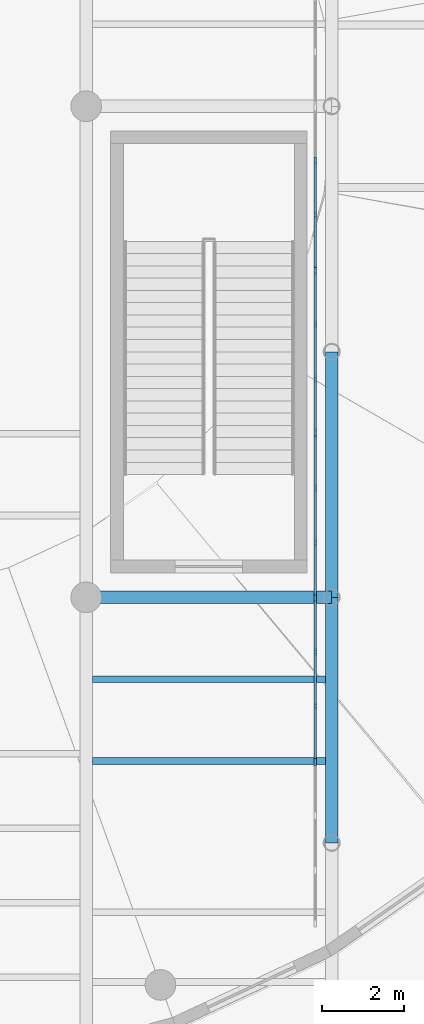
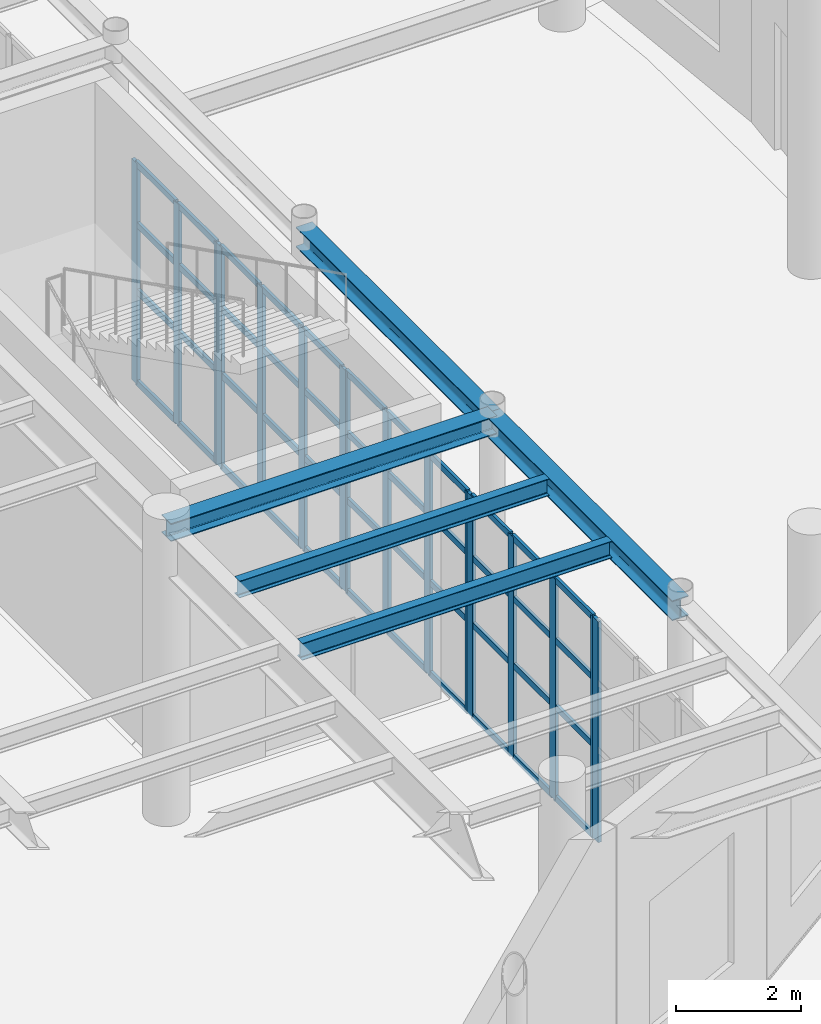
# One storey, part 37 of 118: 60 members, 5 beams, 5 elements without a shape of their own.
"""IFC4 building model written with IfcOpenShell, lengths in metres."""

import ifcopenshell
import ifcopenshell.guid

model = None  # the IFC model being written
_history = None  # IfcOwnerHistory: only IFC2X3 demands one
_inside = {}  # id of a spatial element -> (the spatial element, [elements in it])
_under = {}  # id of a project, library or spatial element -> (it, [spatial elements below it])
_declared = {}  # id of a project -> (the project, [libraries it declares])
_typed = {}  # id of a type object -> (the type object, [elements of that type])
_made_of = {}  # id of a material, layer set ... -> (it, [elements and type objects made of it])


def new_model(schema):
    """Start an empty IFC model of exactly this schema.

    Asked for "IFC4X3", IfcOpenShell would pick the latest addendum, in which some entities
    have other attributes; the version numbers below select the first issue.
    IFC2X3 requires an IfcOwnerHistory on every rooted entity: one is made here for all.
    """
    global model, _history
    if schema == "IFC4X3":
        model = ifcopenshell.file(schema_version=(4, 3, 0, 0))
    else:
        model = ifcopenshell.file(schema=schema)
    _inside.clear()
    _under.clear()
    _declared.clear()
    _typed.clear()
    _made_of.clear()
    _history = None
    if model.schema == "IFC2X3":
        org = make("IfcOrganization", Name="unknown")
        user = make(
            "IfcPersonAndOrganization",
            ThePerson=make("IfcPerson", FamilyName="unknown"),
            TheOrganization=org,
        )
        app = make(
            "IfcApplication",
            ApplicationDeveloper=org,
            Version="unknown",
            ApplicationFullName="unknown",
            ApplicationIdentifier="unknown",
        )
        _history = make(
            "IfcOwnerHistory",
            OwningUser=user,
            OwningApplication=app,
            ChangeAction="ADDED",
            CreationDate=0,
        )
    return model


def make(cls, **values):
    """One entity of the class cls with the attributes given. An attribute that is None is left unset."""
    return model.create_entity(
        cls, **{name: value for name, value in values.items() if value is not None}
    )


def rooted(cls, **values):
    """An entity with a GlobalId (a new one), such as an element, a storey or a relation."""
    return make(cls, GlobalId=ifcopenshell.guid.new(), OwnerHistory=_history, **values)


def si_unit(unit_type, name, prefix=None):
    """IfcSIUnit, for example si_unit("LENGTHUNIT", "METRE", prefix="MILLI")."""
    return make("IfcSIUnit", UnitType=unit_type, Prefix=prefix, Name=name)


def assignment(units):
    """IfcUnitAssignment: the units of a project."""
    return None if units is None else make("IfcUnitAssignment", Units=units)


def point(xyz):
    """IfcCartesianPoint."""
    return None if xyz is None else make("IfcCartesianPoint", Coordinates=xyz)


def direction(xyz):
    """IfcDirection."""
    return None if xyz is None else make("IfcDirection", DirectionRatios=xyz)


def frame(location, z_axis=None, x_axis=None):
    """IfcAxis2Placement3D, a coordinate frame: its origin and axes. An axis left out is left unset."""
    return make(
        "IfcAxis2Placement3D",
        Location=point(location),
        Axis=direction(z_axis),
        RefDirection=direction(x_axis),
    )


def frame_2d(location, x_axis=None):
    """IfcAxis2Placement2D, a coordinate frame in the plane: its origin and x axis."""
    return make(
        "IfcAxis2Placement2D", Location=point(location), RefDirection=direction(x_axis)
    )


def origin():
    """The frame at (0, 0, 0) with its axes left unset."""
    return frame((0.0, 0.0, 0.0))


def origin_2d():
    """The frame at (0, 0) in the plane with its x axis left unset."""
    return frame_2d((0.0, 0.0))


def place(relative_to, where):
    """IfcLocalPlacement: puts the frame where relative to a parent placement (None: the world)."""
    return make(
        "IfcLocalPlacement", PlacementRelTo=relative_to, RelativePlacement=where
    )


def context(
    kind, dimensions, precision=None, world=None, true_north=None, identifier=None
):
    """IfcGeometricRepresentationContext, for example the 3D "Model" context."""
    return make(
        "IfcGeometricRepresentationContext",
        ContextIdentifier=identifier,
        ContextType=kind,
        CoordinateSpaceDimension=dimensions,
        Precision=precision,
        WorldCoordinateSystem=world,
        TrueNorth=true_north,
    )


def subcontext(parent, identifier, kind, view, scale=None):
    """IfcGeometricRepresentationSubContext, for example "Body" below "Model"."""
    return make(
        "IfcGeometricRepresentationSubContext",
        ContextIdentifier=identifier,
        ContextType=kind,
        ParentContext=parent,
        TargetScale=scale,
        TargetView=view,
    )


def project(units=None, contexts=None):
    """IfcProject with its units and contexts."""
    return rooted(
        "IfcProject",
        Name="project",
        RepresentationContexts=contexts,
        UnitsInContext=assignment(units),
    )


def spatial(cls, under=None, at=None, **own):
    """A site, building, storey or space (cls), placed at a placement, below another one or the project."""
    s = rooted(cls, ObjectPlacement=at, **own)
    if under is not None:
        _under.setdefault(under.id(), (under, []))[1].append(s)
    return s


def profile(cls, at=None, kind="AREA", **sizes):
    """A parametric profile (cls). Its sizes go by their IFC names, for example OverallWidth=200.0."""
    return make(cls, ProfileType=kind, Position=at, **sizes)


def rectangle(**sizes):
    """IfcRectangleProfileDef."""
    return profile("IfcRectangleProfileDef", **sizes)


def i_section(**sizes):
    """IfcIShapeProfileDef."""
    return profile("IfcIShapeProfileDef", **sizes)


def extrude(swept, where, along, depth):
    """IfcExtrudedAreaSolid: the profile swept, set in the frame where, extruded along a direction by depth."""
    return make(
        "IfcExtrudedAreaSolid",
        SweptArea=swept,
        Position=where,
        ExtrudedDirection=direction(along),
        Depth=depth,
    )


def shape(context_of_items, identifier, shape_type, items):
    """IfcShapeRepresentation: the items that make up one representation, for example the "Body"."""
    return make(
        "IfcShapeRepresentation",
        ContextOfItems=context_of_items,
        RepresentationIdentifier=identifier,
        RepresentationType=shape_type,
        Items=items,
    )


def material(Name=None, Category=None):
    """IfcMaterial."""
    return make("IfcMaterial", Name=Name, Category=Category)


def material_profile(
    of_material, cross_section, Name=None, Category=None, Priority=None
):
    """IfcMaterialProfile: a cross section and its material."""
    return make(
        "IfcMaterialProfile",
        Name=Name,
        Material=of_material,
        Profile=cross_section,
        Priority=Priority,
        Category=Category,
    )


def profile_set(profiles, Name=None, composite=None):
    """IfcMaterialProfileSet."""
    return make(
        "IfcMaterialProfileSet",
        Name=Name,
        MaterialProfiles=profiles,
        CompositeProfile=composite,
    )


def made_of(thing, what):
    """Note that an element or type object is made of a material, layer set ...; save() writes the relation."""
    if what is not None:
        _made_of.setdefault(what.id(), (what, []))[1].append(thing)
    return thing


def type_object(cls, material=None, **own):
    """A type object (cls), such as IfcWallType, which elements share."""
    return made_of(rooted(cls, **own), material)


def element(
    cls,
    number,
    at=None,
    inside=None,
    cuts=None,
    type_object=None,
    material=None,
    context=None,
    identifier="Body",
    shape_type=None,
    held_by="IfcProductDefinitionShape",
    body=None,
    shapes=None,
    **own,
):
    """One element of the class cls, such as IfcWall. Its Tag is "e" and its number.

    at: its placement. inside: the storey or other place that contains it. cuts: it is an
    opening in that element (IfcRelVoidsElement). A single representation is given by context,
    identifier, shape_type and body (its items); several are given by shapes. held_by: the class
    of the entity that holds the representations. save() writes the other relations.
    """
    e = rooted(cls, Tag="e%d" % number, ObjectPlacement=at, **own)
    if body is not None:
        shapes = [shape(context, identifier, shape_type, body)]
    if shapes is not None:
        e.Representation = make(held_by, Representations=shapes)
    if inside is not None:
        _inside.setdefault(inside.id(), (inside, []))[1].append(e)
    if cuts is not None:
        rooted(
            "IfcRelVoidsElement", RelatingBuildingElement=cuts, RelatedOpeningElement=e
        )
    if type_object is not None:
        _typed.setdefault(type_object.id(), (type_object, []))[1].append(e)
    return made_of(e, material)


def aggregate(whole, parts):
    """IfcRelAggregates: a whole, such as a stair, and the parts it consists of."""
    return rooted("IfcRelAggregates", RelatingObject=whole, RelatedObjects=parts)


def save(model, path):
    """Write the relations noted so far, then the file.

    IfcRelAggregates (storeys below a building ...), IfcRelContainedInSpatialStructure (elements
    in a storey), IfcRelDefinesByType, IfcRelAssociatesMaterial and IfcRelDeclares: one each for
    every whole, place, type object, material and project.
    """
    for whole, parts in _under.values():
        aggregate(whole, parts)
    for where, things in _inside.values():
        rooted(
            "IfcRelContainedInSpatialStructure",
            RelatedElements=things,
            RelatingStructure=where,
        )
    for kind, things in _typed.values():
        rooted("IfcRelDefinesByType", RelatedObjects=things, RelatingType=kind)
    for what, things in _made_of.values():
        rooted("IfcRelAssociatesMaterial", RelatedObjects=things, RelatingMaterial=what)
    for by, libraries in _declared.values():
        rooted("IfcRelDeclares", RelatingContext=by, RelatedDefinitions=libraries)
    model.write(path)


model = new_model("IFC4")

# Units and contexts
model_context = context("Model", 3, precision=1e-05, world=origin(), true_north=direction((0.0, 1.0)))
body_context = subcontext(model_context, "Body", "Model", "MODEL_VIEW")
ifc_project = project(units=[si_unit("LENGTHUNIT", "METRE"), si_unit("AREAUNIT", "SQUARE_METRE"), si_unit("VOLUMEUNIT", "CUBIC_METRE"), si_unit("PLANEANGLEUNIT", "RADIAN"), si_unit("MASSUNIT", "GRAM", prefix="KILO")], contexts=[model_context])

# Site, building, storey
site_placement = place(None, origin())
site = spatial("IfcSite", under=ifc_project, at=site_placement, CompositionType="ELEMENT")
building_placement = place(site_placement, origin())
building = spatial("IfcBuilding", under=site, at=building_placement, Name="Kolvaren Corner Interchange", CompositionType="ELEMENT")
storey_placement = place(building_placement, origin())
storey = spatial("IfcBuildingStorey", under=building, at=storey_placement, Name="L01", CompositionType="ELEMENT", Elevation=0.0)

# Beams
ifc_material_1 = material(Name="Steel S355", Category="steel")
ifc_material_profile_1 = material_profile(ifc_material_1, i_section(OverallWidth=0.300048828125, OverallDepth=0.35009765625, WebThickness=0.010009765625, FlangeThickness=0.017578125, FilletRadius=0.027099609375, at=origin_2d()), Name="HEA 360")
ifc_profile_set_1 = profile_set([ifc_material_profile_1], Name="Steel S355")
beam_type_1 = type_object("IfcBeamType", Name="BM-HEA360", PredefinedType="BEAM", material=ifc_profile_set_1)
beam_placement = place(storey_placement, frame((126.0, 36.0, 5.574951171875), z_axis=(1.0, 0.0, 0.0), x_axis=(0.0, 1.0, 0.0)))
element("IfcBeam", 1, at=beam_placement, inside=storey, type_object=beam_type_1, Name="Storey L01 Grid X Primary Girder 0247", PredefinedType="BEAM", context=body_context, shape_type="SweptSolid", body=[
    extrude(i_section(OverallWidth=0.300048828125, OverallDepth=0.35009765625, WebThickness=0.010009765625, FlangeThickness=0.017578125, FilletRadius=0.027099609375, at=origin_2d()), origin(), (0.0, 0.0, 1.0), 6.0),
])
ifc_material_2 = material(Name="Steel S355", Category="steel")
ifc_material_profile_2 = material_profile(ifc_material_2, i_section(OverallWidth=0.300048828125, OverallDepth=0.389892578125, WebThickness=0.010986328125, FlangeThickness=0.01904296875, FilletRadius=0.027099609375, at=origin_2d()), Name="HEA 400")
ifc_profile_set_2 = profile_set([ifc_material_profile_2], Name="Steel S355")
beam_type_2 = type_object("IfcBeamType", Name="BM-HEA400", PredefinedType="BEAM", material=ifc_profile_set_2)
for number, where, z_axis, x_axis, name in (
    (2, (132.0, 30.0, 5.554931640625), (0.0, 1.0, 0.0), (-1.0, 0.0, 0.0), "Storey L01 Grid Y Primary Girder 0370"),
    (3, (132.0, 36.0, 5.554931640625), (0.0, 1.0, 0.0), (-1.0, 0.0, 0.0), "Storey L01 Grid Y Primary Girder 0371"),
):
    element("IfcBeam", number, at=place(storey_placement, frame(where, z_axis=z_axis, x_axis=x_axis)), inside=storey, type_object=beam_type_2, Name=name, PredefinedType="BEAM", context=body_context, shape_type="SweptSolid", body=[
        extrude(i_section(OverallWidth=0.300048828125, OverallDepth=0.389892578125, WebThickness=0.010986328125, FlangeThickness=0.01904296875, FilletRadius=0.027099609375, at=origin_2d()), origin(), (0.0, 0.0, 1.0), 6.0),
    ])
ifc_material_3 = material(Name="Steel S355", Category="steel")
ifc_material_profile_3 = material_profile(ifc_material_3, i_section(OverallWidth=0.159912109375, OverallDepth=0.330078125, WebThickness=0.007568359375, FlangeThickness=0.011474609375, FilletRadius=0.01806640625, at=origin_2d()), Name="IPE 330")
ifc_profile_set_3 = profile_set([ifc_material_profile_3], Name="Steel S355")
beam_type_3 = type_object("IfcBeamType", Name="JS-IPE330", PredefinedType="JOIST", material=ifc_profile_set_3)
for number, where, z_axis, x_axis, name in (
    (4, (126.14990234375, 32.0, 5.5849609375), (1.0, 0.0, 0.0), (0.0, 1.0, 0.0), "Storey L01 Composite Floor Joist 0376"),
    (5, (126.14990234375, 34.0, 5.5849609375), (1.0, 0.0, 0.0), (0.0, 1.0, 0.0), "Storey L01 Composite Floor Joist 0377"),
):
    element("IfcBeam", number, at=place(storey_placement, frame(where, z_axis=z_axis, x_axis=x_axis)), inside=storey, type_object=beam_type_3, Name=name, PredefinedType="JOIST", context=body_context, shape_type="SweptSolid", body=[
        extrude(i_section(OverallWidth=0.159912109375, OverallDepth=0.330078125, WebThickness=0.007568359375, FlangeThickness=0.011474609375, FilletRadius=0.01806640625, at=origin_2d()), origin(), (0.0, 0.0, 1.0), 5.7001953125),
    ])

# Curtain wall, member
ifc_material_4 = material(Name="Unitised Aluminium and Solar-Control Glass Curtain Wall", Category="aluminium")
curtain_wall_type = type_object("IfcCurtainWallType", Name="CW-V4-BOARD", PredefinedType="NOTDEFINED", material=ifc_material_4)
curtain_wall_1_placement = place(storey_placement, origin())
curtain_wall_1 = element("IfcCurtainWall", 6, at=curtain_wall_1_placement, inside=storey, type_object=curtain_wall_type, Name="Bus Island West Boarding Curtain Wall Bay 01", PredefinedType="NOTDEFINED")
ifc_material_5 = material(Name="Anodised Aluminium Framing", Category="aluminium")
ifc_material_profile_4 = material_profile(ifc_material_5, rectangle(XDim=0.06005859375, YDim=0.179931640625, at=origin_2d()), Name="ALU 60x180")
ifc_profile_set_4 = profile_set([ifc_material_profile_4], Name="Anodised Aluminium Framing")
member_type_1 = type_object("IfcMemberType", Name="MUL-ALU60x180", PredefinedType="MULLION", material=ifc_profile_set_4)
member_1_placement = place(storey_placement, frame((131.60009765625, 31.969970703125, 0.0), z_axis=(0.0, 0.0, 1.0), x_axis=(-1.0, 0.0, 0.0)))
member_1 = element("IfcMember", 7, at=member_1_placement, type_object=member_type_1, Name="CW-126 mullion 4", PredefinedType="MULLION", context=body_context, shape_type="SweptSolid", body=[
    extrude(rectangle(XDim=0.06005859375, YDim=0.179931640625, at=origin_2d()), origin(), (0.0, 0.0, 1.0), 4.300048828125),
])
aggregate(curtain_wall_1, [member_1])

# Curtain wall, members
curtain_wall_2_placement = place(storey_placement, origin())
curtain_wall_2 = element("IfcCurtainWall", 8, at=curtain_wall_2_placement, inside=storey, type_object=curtain_wall_type, Name="Bus Island West Boarding Curtain Wall Bay 02", PredefinedType="NOTDEFINED")
member_2_placement = place(storey_placement, frame((131.60009765625, 32.030029296875, 0.0), z_axis=(0.0, 0.0, 1.0), x_axis=(-1.0, 0.0, 0.0)))
member_2 = element("IfcMember", 9, at=member_2_placement, type_object=member_type_1, Name="CW-127 mullion 1", PredefinedType="MULLION", context=body_context, shape_type="SweptSolid", body=[
    extrude(rectangle(XDim=0.06005859375, YDim=0.179931640625, at=origin_2d()), origin(), (0.0, 0.0, 1.0), 4.300048828125),
])
member_3_placement = place(storey_placement, frame((131.60009765625, 33.333251953125, 0.0), z_axis=(0.0, 0.0, 1.0), x_axis=(-1.0, 0.0, 0.0)))
member_3 = element("IfcMember", 10, at=member_3_placement, type_object=member_type_1, Name="CW-127 mullion 2", PredefinedType="MULLION", context=body_context, shape_type="SweptSolid", body=[
    extrude(rectangle(XDim=0.06005859375, YDim=0.179931640625, at=origin_2d()), origin(), (0.0, 0.0, 1.0), 4.300048828125),
])
member_4_placement = place(storey_placement, frame((131.60009765625, 34.666748046875, 0.0), z_axis=(0.0, 0.0, 1.0), x_axis=(-1.0, 0.0, 0.0)))
member_4 = element("IfcMember", 11, at=member_4_placement, type_object=member_type_1, Name="CW-127 mullion 3", PredefinedType="MULLION", context=body_context, shape_type="SweptSolid", body=[
    extrude(rectangle(XDim=0.06005859375, YDim=0.179931640625, at=origin_2d()), origin(), (0.0, 0.0, 1.0), 4.300048828125),
])
member_5_placement = place(storey_placement, frame((131.60009765625, 35.969970703125, 0.0), z_axis=(0.0, 0.0, 1.0), x_axis=(-1.0, 0.0, 0.0)))
member_5 = element("IfcMember", 12, at=member_5_placement, type_object=member_type_1, Name="CW-127 mullion 4", PredefinedType="MULLION", context=body_context, shape_type="SweptSolid", body=[
    extrude(rectangle(XDim=0.06005859375, YDim=0.179931640625, at=origin_2d()), origin(), (0.0, 0.0, 1.0), 4.300048828125),
])

curtain_wall_3_placement = place(storey_placement, origin())
curtain_wall_3 = element("IfcCurtainWall", 13, at=curtain_wall_3_placement, inside=storey, type_object=curtain_wall_type, Name="Bus Island West Boarding Curtain Wall Bay 03", PredefinedType="NOTDEFINED")
member_6_placement = place(storey_placement, frame((131.60009765625, 36.030029296875, 0.0), z_axis=(0.0, 0.0, 1.0), x_axis=(-1.0, 0.0, 0.0)))
member_6 = element("IfcMember", 14, at=member_6_placement, type_object=member_type_1, Name="CW-128 mullion 1", PredefinedType="MULLION", context=body_context, shape_type="SweptSolid", body=[
    extrude(rectangle(XDim=0.06005859375, YDim=0.179931640625, at=origin_2d()), origin(), (0.0, 0.0, 1.0), 4.300048828125),
])
member_7_placement = place(storey_placement, frame((131.60009765625, 37.333251953125, 0.0), z_axis=(0.0, 0.0, 1.0), x_axis=(-1.0, 0.0, 0.0)))
member_7 = element("IfcMember", 15, at=member_7_placement, type_object=member_type_1, Name="CW-128 mullion 2", PredefinedType="MULLION", context=body_context, shape_type="SweptSolid", body=[
    extrude(rectangle(XDim=0.06005859375, YDim=0.179931640625, at=origin_2d()), origin(), (0.0, 0.0, 1.0), 4.300048828125),
])
member_8_placement = place(storey_placement, frame((131.60009765625, 38.666748046875, 0.0), z_axis=(0.0, 0.0, 1.0), x_axis=(-1.0, 0.0, 0.0)))
member_8 = element("IfcMember", 16, at=member_8_placement, type_object=member_type_1, Name="CW-128 mullion 3", PredefinedType="MULLION", context=body_context, shape_type="SweptSolid", body=[
    extrude(rectangle(XDim=0.06005859375, YDim=0.179931640625, at=origin_2d()), origin(), (0.0, 0.0, 1.0), 4.300048828125),
])
member_9_placement = place(storey_placement, frame((131.60009765625, 39.969970703125, 0.0), z_axis=(0.0, 0.0, 1.0), x_axis=(-1.0, 0.0, 0.0)))
member_9 = element("IfcMember", 17, at=member_9_placement, type_object=member_type_1, Name="CW-128 mullion 4", PredefinedType="MULLION", context=body_context, shape_type="SweptSolid", body=[
    extrude(rectangle(XDim=0.06005859375, YDim=0.179931640625, at=origin_2d()), origin(), (0.0, 0.0, 1.0), 4.300048828125),
])

curtain_wall_4_placement = place(storey_placement, origin())
curtain_wall_4 = element("IfcCurtainWall", 18, at=curtain_wall_4_placement, inside=storey, type_object=curtain_wall_type, Name="Bus Island West Boarding Curtain Wall Bay 04", PredefinedType="NOTDEFINED")
member_10_placement = place(storey_placement, frame((131.60009765625, 40.030029296875, 0.0), z_axis=(0.0, 0.0, 1.0), x_axis=(-1.0, 0.0, 0.0)))
member_10 = element("IfcMember", 19, at=member_10_placement, type_object=member_type_1, Name="CW-129 mullion 1", PredefinedType="MULLION", context=body_context, shape_type="SweptSolid", body=[
    extrude(rectangle(XDim=0.06005859375, YDim=0.179931640625, at=origin_2d()), origin(), (0.0, 0.0, 1.0), 4.300048828125),
])
member_11_placement = place(storey_placement, frame((131.60009765625, 41.333251953125, 0.0), z_axis=(0.0, 0.0, 1.0), x_axis=(-1.0, 0.0, 0.0)))
member_11 = element("IfcMember", 20, at=member_11_placement, type_object=member_type_1, Name="CW-129 mullion 2", PredefinedType="MULLION", context=body_context, shape_type="SweptSolid", body=[
    extrude(rectangle(XDim=0.06005859375, YDim=0.179931640625, at=origin_2d()), origin(), (0.0, 0.0, 1.0), 4.300048828125),
])
member_12_placement = place(storey_placement, frame((131.60009765625, 42.666748046875, 0.0), z_axis=(0.0, 0.0, 1.0), x_axis=(-1.0, 0.0, 0.0)))
member_12 = element("IfcMember", 21, at=member_12_placement, type_object=member_type_1, Name="CW-129 mullion 3", PredefinedType="MULLION", context=body_context, shape_type="SweptSolid", body=[
    extrude(rectangle(XDim=0.06005859375, YDim=0.179931640625, at=origin_2d()), origin(), (0.0, 0.0, 1.0), 4.300048828125),
])
member_13_placement = place(storey_placement, frame((131.60009765625, 43.969970703125, 0.0), z_axis=(0.0, 0.0, 1.0), x_axis=(-1.0, 0.0, 0.0)))
member_13 = element("IfcMember", 22, at=member_13_placement, type_object=member_type_1, Name="CW-129 mullion 4", PredefinedType="MULLION", context=body_context, shape_type="SweptSolid", body=[
    extrude(rectangle(XDim=0.06005859375, YDim=0.179931640625, at=origin_2d()), origin(), (0.0, 0.0, 1.0), 4.300048828125),
])

curtain_wall_5_placement = place(storey_placement, origin())
curtain_wall_5 = element("IfcCurtainWall", 23, at=curtain_wall_5_placement, inside=storey, type_object=curtain_wall_type, Name="Bus Island West Boarding Curtain Wall Bay 05", PredefinedType="NOTDEFINED")
member_14_placement = place(storey_placement, frame((131.60009765625, 44.030029296875, 0.0), z_axis=(0.0, 0.0, 1.0), x_axis=(-1.0, 0.0, 0.0)))
member_14 = element("IfcMember", 24, at=member_14_placement, type_object=member_type_1, Name="CW-130 mullion 1", PredefinedType="MULLION", context=body_context, shape_type="SweptSolid", body=[
    extrude(rectangle(XDim=0.06005859375, YDim=0.179931640625, at=origin_2d()), origin(), (0.0, 0.0, 1.0), 4.300048828125),
])
member_15_placement = place(storey_placement, frame((131.60009765625, 45.333251953125, 0.0), z_axis=(0.0, 0.0, 1.0), x_axis=(-1.0, 0.0, 0.0)))
member_15 = element("IfcMember", 25, at=member_15_placement, type_object=member_type_1, Name="CW-130 mullion 2", PredefinedType="MULLION", context=body_context, shape_type="SweptSolid", body=[
    extrude(rectangle(XDim=0.06005859375, YDim=0.179931640625, at=origin_2d()), origin(), (0.0, 0.0, 1.0), 4.300048828125),
])
member_16_placement = place(storey_placement, frame((131.60009765625, 46.666748046875, 0.0), z_axis=(0.0, 0.0, 1.0), x_axis=(-1.0, 0.0, 0.0)))
member_16 = element("IfcMember", 26, at=member_16_placement, type_object=member_type_1, Name="CW-130 mullion 3", PredefinedType="MULLION", context=body_context, shape_type="SweptSolid", body=[
    extrude(rectangle(XDim=0.06005859375, YDim=0.179931640625, at=origin_2d()), origin(), (0.0, 0.0, 1.0), 4.300048828125),
])

# Member
ifc_material_6 = material(Name="Anodised Aluminium Framing", Category="aluminium")
ifc_material_profile_5 = material_profile(ifc_material_6, rectangle(XDim=0.054931640625, YDim=0.1201171875, at=origin_2d()), Name="ALU 55x120")
ifc_profile_set_5 = profile_set([ifc_material_profile_5], Name="Anodised Aluminium Framing")
member_type_2 = type_object("IfcMemberType", Name="TRN-ALU55x120", PredefinedType="USERDEFINED", material=ifc_profile_set_5)
member_17_placement = place(storey_placement, frame((131.60009765625, 32.06005859375, 0.027587890625), z_axis=(0.0, 1.0, 0.0), x_axis=(-1.0, 0.0, 0.0)))
member_17 = element("IfcMember", 27, at=member_17_placement, type_object=member_type_2, Name="CW-127 transom 1.1", ObjectType="TRANSOM", PredefinedType="USERDEFINED", context=body_context, shape_type="SweptSolid", body=[
    extrude(rectangle(XDim=0.054931640625, YDim=0.1201171875, at=origin_2d()), origin(), (0.0, 0.0, 1.0), 1.2431640625),
])

member_18_placement = place(storey_placement, frame((131.60009765625, 32.06005859375, 1.800048828125), z_axis=(0.0, 1.0, 0.0), x_axis=(-1.0, 0.0, 0.0)))
member_18 = element("IfcMember", 28, at=member_18_placement, type_object=member_type_2, Name="CW-127 transom 1.2", ObjectType="TRANSOM", PredefinedType="USERDEFINED", context=body_context, shape_type="SweptSolid", body=[
    extrude(rectangle(XDim=0.054931640625, YDim=0.1201171875, at=origin_2d()), origin(), (0.0, 0.0, 1.0), 1.2431640625),
])

member_19_placement = place(storey_placement, frame((131.60009765625, 32.06005859375, 3.10009765625), z_axis=(0.0, 1.0, 0.0), x_axis=(-1.0, 0.0, 0.0)))
member_19 = element("IfcMember", 29, at=member_19_placement, type_object=member_type_2, Name="CW-127 transom 1.3", ObjectType="TRANSOM", PredefinedType="USERDEFINED", context=body_context, shape_type="SweptSolid", body=[
    extrude(rectangle(XDim=0.054931640625, YDim=0.1201171875, at=origin_2d()), origin(), (0.0, 0.0, 1.0), 1.2431640625),
])

member_20_placement = place(storey_placement, frame((131.60009765625, 32.06005859375, 4.2724609375), z_axis=(0.0, 1.0, 0.0), x_axis=(-1.0, 0.0, 0.0)))
member_20 = element("IfcMember", 30, at=member_20_placement, type_object=member_type_2, Name="CW-127 transom 1.4", ObjectType="TRANSOM", PredefinedType="USERDEFINED", context=body_context, shape_type="SweptSolid", body=[
    extrude(rectangle(XDim=0.054931640625, YDim=0.1201171875, at=origin_2d()), origin(), (0.0, 0.0, 1.0), 1.2431640625),
])

member_21_placement = place(storey_placement, frame((131.60009765625, 33.36328125, 0.027587890625), z_axis=(0.0, 1.0, 0.0), x_axis=(-1.0, 0.0, 0.0)))
member_21 = element("IfcMember", 31, at=member_21_placement, type_object=member_type_2, Name="CW-127 transom 2.1", ObjectType="TRANSOM", PredefinedType="USERDEFINED", context=body_context, shape_type="SweptSolid", body=[
    extrude(rectangle(XDim=0.054931640625, YDim=0.1201171875, at=origin_2d()), origin(), (0.0, 0.0, 1.0), 1.2734375),
])

member_22_placement = place(storey_placement, frame((131.60009765625, 33.36328125, 1.800048828125), z_axis=(0.0, 1.0, 0.0), x_axis=(-1.0, 0.0, 0.0)))
member_22 = element("IfcMember", 32, at=member_22_placement, type_object=member_type_2, Name="CW-127 transom 2.2", ObjectType="TRANSOM", PredefinedType="USERDEFINED", context=body_context, shape_type="SweptSolid", body=[
    extrude(rectangle(XDim=0.054931640625, YDim=0.1201171875, at=origin_2d()), origin(), (0.0, 0.0, 1.0), 1.2734375),
])

member_23_placement = place(storey_placement, frame((131.60009765625, 33.36328125, 3.10009765625), z_axis=(0.0, 1.0, 0.0), x_axis=(-1.0, 0.0, 0.0)))
member_23 = element("IfcMember", 33, at=member_23_placement, type_object=member_type_2, Name="CW-127 transom 2.3", ObjectType="TRANSOM", PredefinedType="USERDEFINED", context=body_context, shape_type="SweptSolid", body=[
    extrude(rectangle(XDim=0.054931640625, YDim=0.1201171875, at=origin_2d()), origin(), (0.0, 0.0, 1.0), 1.2734375),
])

member_24_placement = place(storey_placement, frame((131.60009765625, 33.36328125, 4.2724609375), z_axis=(0.0, 1.0, 0.0), x_axis=(-1.0, 0.0, 0.0)))
member_24 = element("IfcMember", 34, at=member_24_placement, type_object=member_type_2, Name="CW-127 transom 2.4", ObjectType="TRANSOM", PredefinedType="USERDEFINED", context=body_context, shape_type="SweptSolid", body=[
    extrude(rectangle(XDim=0.054931640625, YDim=0.1201171875, at=origin_2d()), origin(), (0.0, 0.0, 1.0), 1.2734375),
])

member_25_placement = place(storey_placement, frame((131.60009765625, 34.69677734375, 0.027587890625), z_axis=(0.0, 1.0, 0.0), x_axis=(-1.0, 0.0, 0.0)))
member_25 = element("IfcMember", 35, at=member_25_placement, type_object=member_type_2, Name="CW-127 transom 3.1", ObjectType="TRANSOM", PredefinedType="USERDEFINED", context=body_context, shape_type="SweptSolid", body=[
    extrude(rectangle(XDim=0.054931640625, YDim=0.1201171875, at=origin_2d()), origin(), (0.0, 0.0, 1.0), 1.2431640625),
])

member_26_placement = place(storey_placement, frame((131.60009765625, 34.69677734375, 1.800048828125), z_axis=(0.0, 1.0, 0.0), x_axis=(-1.0, 0.0, 0.0)))
member_26 = element("IfcMember", 36, at=member_26_placement, type_object=member_type_2, Name="CW-127 transom 3.2", ObjectType="TRANSOM", PredefinedType="USERDEFINED", context=body_context, shape_type="SweptSolid", body=[
    extrude(rectangle(XDim=0.054931640625, YDim=0.1201171875, at=origin_2d()), origin(), (0.0, 0.0, 1.0), 1.2431640625),
])

member_27_placement = place(storey_placement, frame((131.60009765625, 34.69677734375, 3.10009765625), z_axis=(0.0, 1.0, 0.0), x_axis=(-1.0, 0.0, 0.0)))
member_27 = element("IfcMember", 37, at=member_27_placement, type_object=member_type_2, Name="CW-127 transom 3.3", ObjectType="TRANSOM", PredefinedType="USERDEFINED", context=body_context, shape_type="SweptSolid", body=[
    extrude(rectangle(XDim=0.054931640625, YDim=0.1201171875, at=origin_2d()), origin(), (0.0, 0.0, 1.0), 1.2431640625),
])

member_28_placement = place(storey_placement, frame((131.60009765625, 34.69677734375, 4.2724609375), z_axis=(0.0, 1.0, 0.0), x_axis=(-1.0, 0.0, 0.0)))
member_28 = element("IfcMember", 38, at=member_28_placement, type_object=member_type_2, Name="CW-127 transom 3.4", ObjectType="TRANSOM", PredefinedType="USERDEFINED", context=body_context, shape_type="SweptSolid", body=[
    extrude(rectangle(XDim=0.054931640625, YDim=0.1201171875, at=origin_2d()), origin(), (0.0, 0.0, 1.0), 1.2431640625),
])

aggregate(curtain_wall_2, [member_2, member_3, member_4, member_5, member_17, member_18, member_19, member_20, member_21, member_22, member_23, member_24, member_25, member_26, member_27, member_28])

member_29_placement = place(storey_placement, frame((131.60009765625, 36.06005859375, 0.027587890625), z_axis=(0.0, 1.0, 0.0), x_axis=(-1.0, 0.0, 0.0)))
member_29 = element("IfcMember", 39, at=member_29_placement, type_object=member_type_2, Name="CW-128 transom 1.1", ObjectType="TRANSOM", PredefinedType="USERDEFINED", context=body_context, shape_type="SweptSolid", body=[
    extrude(rectangle(XDim=0.054931640625, YDim=0.1201171875, at=origin_2d()), origin(), (0.0, 0.0, 1.0), 1.2431640625),
])

member_30_placement = place(storey_placement, frame((131.60009765625, 36.06005859375, 1.800048828125), z_axis=(0.0, 1.0, 0.0), x_axis=(-1.0, 0.0, 0.0)))
member_30 = element("IfcMember", 40, at=member_30_placement, type_object=member_type_2, Name="CW-128 transom 1.2", ObjectType="TRANSOM", PredefinedType="USERDEFINED", context=body_context, shape_type="SweptSolid", body=[
    extrude(rectangle(XDim=0.054931640625, YDim=0.1201171875, at=origin_2d()), origin(), (0.0, 0.0, 1.0), 1.2431640625),
])

member_31_placement = place(storey_placement, frame((131.60009765625, 36.06005859375, 3.10009765625), z_axis=(0.0, 1.0, 0.0), x_axis=(-1.0, 0.0, 0.0)))
member_31 = element("IfcMember", 41, at=member_31_placement, type_object=member_type_2, Name="CW-128 transom 1.3", ObjectType="TRANSOM", PredefinedType="USERDEFINED", context=body_context, shape_type="SweptSolid", body=[
    extrude(rectangle(XDim=0.054931640625, YDim=0.1201171875, at=origin_2d()), origin(), (0.0, 0.0, 1.0), 1.2431640625),
])

member_32_placement = place(storey_placement, frame((131.60009765625, 36.06005859375, 4.2724609375), z_axis=(0.0, 1.0, 0.0), x_axis=(-1.0, 0.0, 0.0)))
member_32 = element("IfcMember", 42, at=member_32_placement, type_object=member_type_2, Name="CW-128 transom 1.4", ObjectType="TRANSOM", PredefinedType="USERDEFINED", context=body_context, shape_type="SweptSolid", body=[
    extrude(rectangle(XDim=0.054931640625, YDim=0.1201171875, at=origin_2d()), origin(), (0.0, 0.0, 1.0), 1.2431640625),
])

member_33_placement = place(storey_placement, frame((131.60009765625, 37.36328125, 0.027587890625), z_axis=(0.0, 1.0, 0.0), x_axis=(-1.0, 0.0, 0.0)))
member_33 = element("IfcMember", 43, at=member_33_placement, type_object=member_type_2, Name="CW-128 transom 2.1", ObjectType="TRANSOM", PredefinedType="USERDEFINED", context=body_context, shape_type="SweptSolid", body=[
    extrude(rectangle(XDim=0.054931640625, YDim=0.1201171875, at=origin_2d()), origin(), (0.0, 0.0, 1.0), 1.2734375),
])

member_34_placement = place(storey_placement, frame((131.60009765625, 37.36328125, 1.800048828125), z_axis=(0.0, 1.0, 0.0), x_axis=(-1.0, 0.0, 0.0)))
member_34 = element("IfcMember", 44, at=member_34_placement, type_object=member_type_2, Name="CW-128 transom 2.2", ObjectType="TRANSOM", PredefinedType="USERDEFINED", context=body_context, shape_type="SweptSolid", body=[
    extrude(rectangle(XDim=0.054931640625, YDim=0.1201171875, at=origin_2d()), origin(), (0.0, 0.0, 1.0), 1.2734375),
])

member_35_placement = place(storey_placement, frame((131.60009765625, 37.36328125, 3.10009765625), z_axis=(0.0, 1.0, 0.0), x_axis=(-1.0, 0.0, 0.0)))
member_35 = element("IfcMember", 45, at=member_35_placement, type_object=member_type_2, Name="CW-128 transom 2.3", ObjectType="TRANSOM", PredefinedType="USERDEFINED", context=body_context, shape_type="SweptSolid", body=[
    extrude(rectangle(XDim=0.054931640625, YDim=0.1201171875, at=origin_2d()), origin(), (0.0, 0.0, 1.0), 1.2734375),
])

member_36_placement = place(storey_placement, frame((131.60009765625, 37.36328125, 4.2724609375), z_axis=(0.0, 1.0, 0.0), x_axis=(-1.0, 0.0, 0.0)))
member_36 = element("IfcMember", 46, at=member_36_placement, type_object=member_type_2, Name="CW-128 transom 2.4", ObjectType="TRANSOM", PredefinedType="USERDEFINED", context=body_context, shape_type="SweptSolid", body=[
    extrude(rectangle(XDim=0.054931640625, YDim=0.1201171875, at=origin_2d()), origin(), (0.0, 0.0, 1.0), 1.2734375),
])

member_37_placement = place(storey_placement, frame((131.60009765625, 38.69677734375, 0.027587890625), z_axis=(0.0, 1.0, 0.0), x_axis=(-1.0, 0.0, 0.0)))
member_37 = element("IfcMember", 47, at=member_37_placement, type_object=member_type_2, Name="CW-128 transom 3.1", ObjectType="TRANSOM", PredefinedType="USERDEFINED", context=body_context, shape_type="SweptSolid", body=[
    extrude(rectangle(XDim=0.054931640625, YDim=0.1201171875, at=origin_2d()), origin(), (0.0, 0.0, 1.0), 1.2431640625),
])

member_38_placement = place(storey_placement, frame((131.60009765625, 38.69677734375, 1.800048828125), z_axis=(0.0, 1.0, 0.0), x_axis=(-1.0, 0.0, 0.0)))
member_38 = element("IfcMember", 48, at=member_38_placement, type_object=member_type_2, Name="CW-128 transom 3.2", ObjectType="TRANSOM", PredefinedType="USERDEFINED", context=body_context, shape_type="SweptSolid", body=[
    extrude(rectangle(XDim=0.054931640625, YDim=0.1201171875, at=origin_2d()), origin(), (0.0, 0.0, 1.0), 1.2431640625),
])

member_39_placement = place(storey_placement, frame((131.60009765625, 38.69677734375, 3.10009765625), z_axis=(0.0, 1.0, 0.0), x_axis=(-1.0, 0.0, 0.0)))
member_39 = element("IfcMember", 49, at=member_39_placement, type_object=member_type_2, Name="CW-128 transom 3.3", ObjectType="TRANSOM", PredefinedType="USERDEFINED", context=body_context, shape_type="SweptSolid", body=[
    extrude(rectangle(XDim=0.054931640625, YDim=0.1201171875, at=origin_2d()), origin(), (0.0, 0.0, 1.0), 1.2431640625),
])

member_40_placement = place(storey_placement, frame((131.60009765625, 38.69677734375, 4.2724609375), z_axis=(0.0, 1.0, 0.0), x_axis=(-1.0, 0.0, 0.0)))
member_40 = element("IfcMember", 50, at=member_40_placement, type_object=member_type_2, Name="CW-128 transom 3.4", ObjectType="TRANSOM", PredefinedType="USERDEFINED", context=body_context, shape_type="SweptSolid", body=[
    extrude(rectangle(XDim=0.054931640625, YDim=0.1201171875, at=origin_2d()), origin(), (0.0, 0.0, 1.0), 1.2431640625),
])

aggregate(curtain_wall_3, [member_6, member_7, member_8, member_9, member_29, member_30, member_31, member_32, member_33, member_34, member_35, member_36, member_37, member_38, member_39, member_40])

member_41_placement = place(storey_placement, frame((131.60009765625, 40.06005859375, 0.027587890625), z_axis=(0.0, 1.0, 0.0), x_axis=(-1.0, 0.0, 0.0)))
member_41 = element("IfcMember", 51, at=member_41_placement, type_object=member_type_2, Name="CW-129 transom 1.1", ObjectType="TRANSOM", PredefinedType="USERDEFINED", context=body_context, shape_type="SweptSolid", body=[
    extrude(rectangle(XDim=0.054931640625, YDim=0.1201171875, at=origin_2d()), origin(), (0.0, 0.0, 1.0), 1.2431640625),
])

member_42_placement = place(storey_placement, frame((131.60009765625, 40.06005859375, 1.800048828125), z_axis=(0.0, 1.0, 0.0), x_axis=(-1.0, 0.0, 0.0)))
member_42 = element("IfcMember", 52, at=member_42_placement, type_object=member_type_2, Name="CW-129 transom 1.2", ObjectType="TRANSOM", PredefinedType="USERDEFINED", context=body_context, shape_type="SweptSolid", body=[
    extrude(rectangle(XDim=0.054931640625, YDim=0.1201171875, at=origin_2d()), origin(), (0.0, 0.0, 1.0), 1.2431640625),
])

member_43_placement = place(storey_placement, frame((131.60009765625, 40.06005859375, 3.10009765625), z_axis=(0.0, 1.0, 0.0), x_axis=(-1.0, 0.0, 0.0)))
member_43 = element("IfcMember", 53, at=member_43_placement, type_object=member_type_2, Name="CW-129 transom 1.3", ObjectType="TRANSOM", PredefinedType="USERDEFINED", context=body_context, shape_type="SweptSolid", body=[
    extrude(rectangle(XDim=0.054931640625, YDim=0.1201171875, at=origin_2d()), origin(), (0.0, 0.0, 1.0), 1.2431640625),
])

member_44_placement = place(storey_placement, frame((131.60009765625, 40.06005859375, 4.2724609375), z_axis=(0.0, 1.0, 0.0), x_axis=(-1.0, 0.0, 0.0)))
member_44 = element("IfcMember", 54, at=member_44_placement, type_object=member_type_2, Name="CW-129 transom 1.4", ObjectType="TRANSOM", PredefinedType="USERDEFINED", context=body_context, shape_type="SweptSolid", body=[
    extrude(rectangle(XDim=0.054931640625, YDim=0.1201171875, at=origin_2d()), origin(), (0.0, 0.0, 1.0), 1.2431640625),
])

member_45_placement = place(storey_placement, frame((131.60009765625, 41.36328125, 0.027587890625), z_axis=(0.0, 1.0, 0.0), x_axis=(-1.0, 0.0, 0.0)))
member_45 = element("IfcMember", 55, at=member_45_placement, type_object=member_type_2, Name="CW-129 transom 2.1", ObjectType="TRANSOM", PredefinedType="USERDEFINED", context=body_context, shape_type="SweptSolid", body=[
    extrude(rectangle(XDim=0.054931640625, YDim=0.1201171875, at=origin_2d()), origin(), (0.0, 0.0, 1.0), 1.2734375),
])

member_46_placement = place(storey_placement, frame((131.60009765625, 41.36328125, 1.800048828125), z_axis=(0.0, 1.0, 0.0), x_axis=(-1.0, 0.0, 0.0)))
member_46 = element("IfcMember", 56, at=member_46_placement, type_object=member_type_2, Name="CW-129 transom 2.2", ObjectType="TRANSOM", PredefinedType="USERDEFINED", context=body_context, shape_type="SweptSolid", body=[
    extrude(rectangle(XDim=0.054931640625, YDim=0.1201171875, at=origin_2d()), origin(), (0.0, 0.0, 1.0), 1.2734375),
])

member_47_placement = place(storey_placement, frame((131.60009765625, 41.36328125, 3.10009765625), z_axis=(0.0, 1.0, 0.0), x_axis=(-1.0, 0.0, 0.0)))
member_47 = element("IfcMember", 57, at=member_47_placement, type_object=member_type_2, Name="CW-129 transom 2.3", ObjectType="TRANSOM", PredefinedType="USERDEFINED", context=body_context, shape_type="SweptSolid", body=[
    extrude(rectangle(XDim=0.054931640625, YDim=0.1201171875, at=origin_2d()), origin(), (0.0, 0.0, 1.0), 1.2734375),
])

member_48_placement = place(storey_placement, frame((131.60009765625, 41.36328125, 4.2724609375), z_axis=(0.0, 1.0, 0.0), x_axis=(-1.0, 0.0, 0.0)))
member_48 = element("IfcMember", 58, at=member_48_placement, type_object=member_type_2, Name="CW-129 transom 2.4", ObjectType="TRANSOM", PredefinedType="USERDEFINED", context=body_context, shape_type="SweptSolid", body=[
    extrude(rectangle(XDim=0.054931640625, YDim=0.1201171875, at=origin_2d()), origin(), (0.0, 0.0, 1.0), 1.2734375),
])

member_49_placement = place(storey_placement, frame((131.60009765625, 42.69677734375, 0.027587890625), z_axis=(0.0, 1.0, 0.0), x_axis=(-1.0, 0.0, 0.0)))
member_49 = element("IfcMember", 59, at=member_49_placement, type_object=member_type_2, Name="CW-129 transom 3.1", ObjectType="TRANSOM", PredefinedType="USERDEFINED", context=body_context, shape_type="SweptSolid", body=[
    extrude(rectangle(XDim=0.054931640625, YDim=0.1201171875, at=origin_2d()), origin(), (0.0, 0.0, 1.0), 1.2431640625),
])

member_50_placement = place(storey_placement, frame((131.60009765625, 42.69677734375, 1.800048828125), z_axis=(0.0, 1.0, 0.0), x_axis=(-1.0, 0.0, 0.0)))
member_50 = element("IfcMember", 60, at=member_50_placement, type_object=member_type_2, Name="CW-129 transom 3.2", ObjectType="TRANSOM", PredefinedType="USERDEFINED", context=body_context, shape_type="SweptSolid", body=[
    extrude(rectangle(XDim=0.054931640625, YDim=0.1201171875, at=origin_2d()), origin(), (0.0, 0.0, 1.0), 1.2431640625),
])

member_51_placement = place(storey_placement, frame((131.60009765625, 42.69677734375, 3.10009765625), z_axis=(0.0, 1.0, 0.0), x_axis=(-1.0, 0.0, 0.0)))
member_51 = element("IfcMember", 61, at=member_51_placement, type_object=member_type_2, Name="CW-129 transom 3.3", ObjectType="TRANSOM", PredefinedType="USERDEFINED", context=body_context, shape_type="SweptSolid", body=[
    extrude(rectangle(XDim=0.054931640625, YDim=0.1201171875, at=origin_2d()), origin(), (0.0, 0.0, 1.0), 1.2431640625),
])

member_52_placement = place(storey_placement, frame((131.60009765625, 42.69677734375, 4.2724609375), z_axis=(0.0, 1.0, 0.0), x_axis=(-1.0, 0.0, 0.0)))
member_52 = element("IfcMember", 62, at=member_52_placement, type_object=member_type_2, Name="CW-129 transom 3.4", ObjectType="TRANSOM", PredefinedType="USERDEFINED", context=body_context, shape_type="SweptSolid", body=[
    extrude(rectangle(XDim=0.054931640625, YDim=0.1201171875, at=origin_2d()), origin(), (0.0, 0.0, 1.0), 1.2431640625),
])

aggregate(curtain_wall_4, [member_10, member_11, member_12, member_13, member_41, member_42, member_43, member_44, member_45, member_46, member_47, member_48, member_49, member_50, member_51, member_52])

member_53_placement = place(storey_placement, frame((131.60009765625, 44.06005859375, 0.027587890625), z_axis=(0.0, 1.0, 0.0), x_axis=(-1.0, 0.0, 0.0)))
member_53 = element("IfcMember", 63, at=member_53_placement, type_object=member_type_2, Name="CW-130 transom 1.1", ObjectType="TRANSOM", PredefinedType="USERDEFINED", context=body_context, shape_type="SweptSolid", body=[
    extrude(rectangle(XDim=0.054931640625, YDim=0.1201171875, at=origin_2d()), origin(), (0.0, 0.0, 1.0), 1.2431640625),
])

member_54_placement = place(storey_placement, frame((131.60009765625, 44.06005859375, 1.800048828125), z_axis=(0.0, 1.0, 0.0), x_axis=(-1.0, 0.0, 0.0)))
member_54 = element("IfcMember", 64, at=member_54_placement, type_object=member_type_2, Name="CW-130 transom 1.2", ObjectType="TRANSOM", PredefinedType="USERDEFINED", context=body_context, shape_type="SweptSolid", body=[
    extrude(rectangle(XDim=0.054931640625, YDim=0.1201171875, at=origin_2d()), origin(), (0.0, 0.0, 1.0), 1.2431640625),
])

member_55_placement = place(storey_placement, frame((131.60009765625, 44.06005859375, 3.10009765625), z_axis=(0.0, 1.0, 0.0), x_axis=(-1.0, 0.0, 0.0)))
member_55 = element("IfcMember", 65, at=member_55_placement, type_object=member_type_2, Name="CW-130 transom 1.3", ObjectType="TRANSOM", PredefinedType="USERDEFINED", context=body_context, shape_type="SweptSolid", body=[
    extrude(rectangle(XDim=0.054931640625, YDim=0.1201171875, at=origin_2d()), origin(), (0.0, 0.0, 1.0), 1.2431640625),
])

member_56_placement = place(storey_placement, frame((131.60009765625, 44.06005859375, 4.2724609375), z_axis=(0.0, 1.0, 0.0), x_axis=(-1.0, 0.0, 0.0)))
member_56 = element("IfcMember", 66, at=member_56_placement, type_object=member_type_2, Name="CW-130 transom 1.4", ObjectType="TRANSOM", PredefinedType="USERDEFINED", context=body_context, shape_type="SweptSolid", body=[
    extrude(rectangle(XDim=0.054931640625, YDim=0.1201171875, at=origin_2d()), origin(), (0.0, 0.0, 1.0), 1.2431640625),
])

member_57_placement = place(storey_placement, frame((131.60009765625, 45.36328125, 0.027587890625), z_axis=(0.0, 1.0, 0.0), x_axis=(-1.0, 0.0, 0.0)))
member_57 = element("IfcMember", 67, at=member_57_placement, type_object=member_type_2, Name="CW-130 transom 2.1", ObjectType="TRANSOM", PredefinedType="USERDEFINED", context=body_context, shape_type="SweptSolid", body=[
    extrude(rectangle(XDim=0.054931640625, YDim=0.1201171875, at=origin_2d()), origin(), (0.0, 0.0, 1.0), 1.2734375),
])

member_58_placement = place(storey_placement, frame((131.60009765625, 45.36328125, 1.800048828125), z_axis=(0.0, 1.0, 0.0), x_axis=(-1.0, 0.0, 0.0)))
member_58 = element("IfcMember", 68, at=member_58_placement, type_object=member_type_2, Name="CW-130 transom 2.2", ObjectType="TRANSOM", PredefinedType="USERDEFINED", context=body_context, shape_type="SweptSolid", body=[
    extrude(rectangle(XDim=0.054931640625, YDim=0.1201171875, at=origin_2d()), origin(), (0.0, 0.0, 1.0), 1.2734375),
])

member_59_placement = place(storey_placement, frame((131.60009765625, 45.36328125, 3.10009765625), z_axis=(0.0, 1.0, 0.0), x_axis=(-1.0, 0.0, 0.0)))
member_59 = element("IfcMember", 69, at=member_59_placement, type_object=member_type_2, Name="CW-130 transom 2.3", ObjectType="TRANSOM", PredefinedType="USERDEFINED", context=body_context, shape_type="SweptSolid", body=[
    extrude(rectangle(XDim=0.054931640625, YDim=0.1201171875, at=origin_2d()), origin(), (0.0, 0.0, 1.0), 1.2734375),
])

member_60_placement = place(storey_placement, frame((131.60009765625, 45.36328125, 4.2724609375), z_axis=(0.0, 1.0, 0.0), x_axis=(-1.0, 0.0, 0.0)))
member_60 = element("IfcMember", 70, at=member_60_placement, type_object=member_type_2, Name="CW-130 transom 2.4", ObjectType="TRANSOM", PredefinedType="USERDEFINED", context=body_context, shape_type="SweptSolid", body=[
    extrude(rectangle(XDim=0.054931640625, YDim=0.1201171875, at=origin_2d()), origin(), (0.0, 0.0, 1.0), 1.2734375),
])

aggregate(curtain_wall_5, [member_14, member_15, member_16, member_53, member_54, member_55, member_56, member_57, member_58, member_59, member_60])

save(model, "model.ifc")
